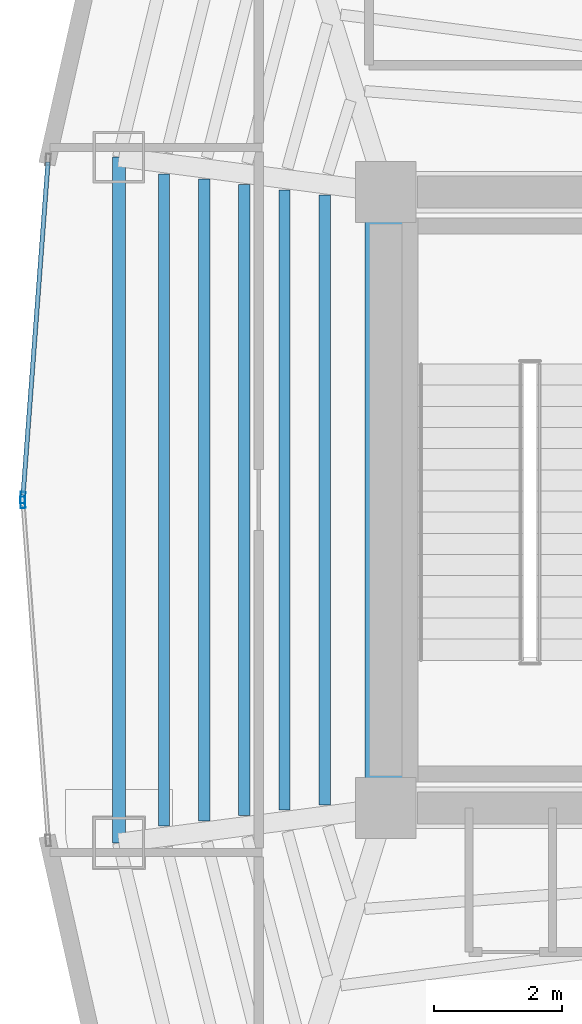
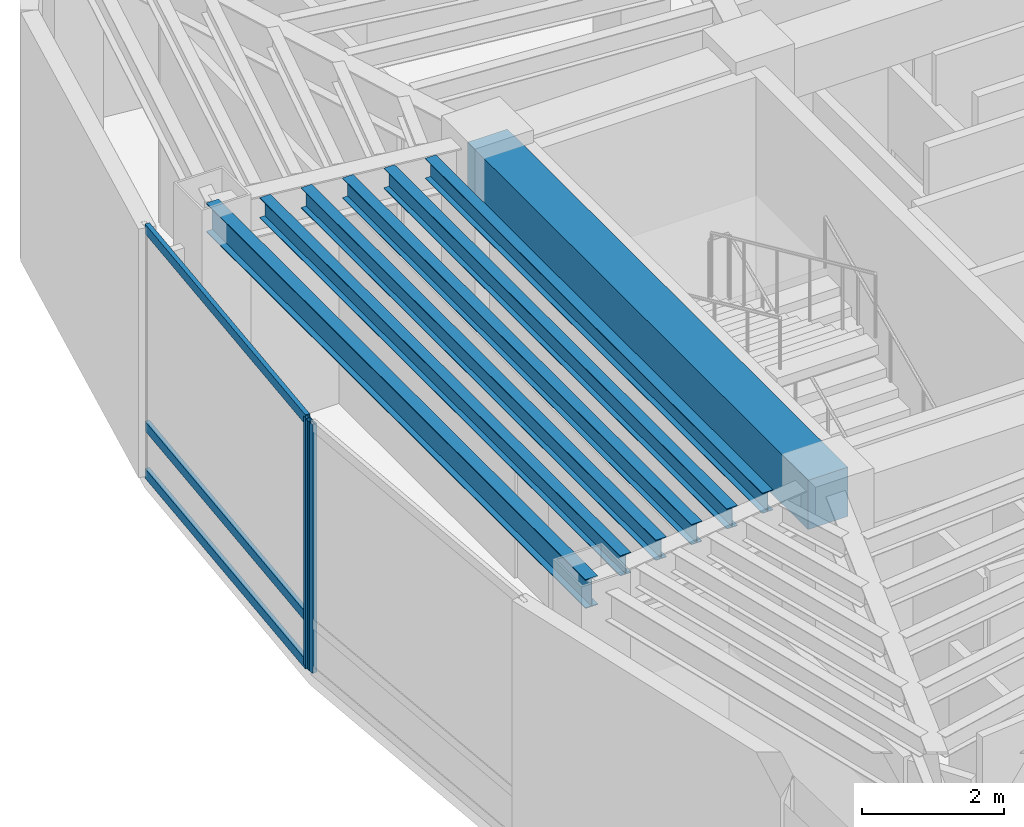
# One storey, part 3 of 17: 7 beams, 5 members, 2 elements without a shape of their own.
"""IFC4 building model written with IfcOpenShell, lengths in metres."""

from ifc_helpers import new_model, si_unit, direction, frame, origin, origin_2d, place, context, subcontext, project, spatial, rectangle, hollow_rectangle, i_section, extrude, material, layer, layer_set, material_profile, profile_set, type_object, element, aggregate, save


model = new_model("IFC4")

# Units and contexts
model_context = context("Model", 3, precision=1e-05, world=origin(), true_north=direction((0.0, 1.0)))
body_context = subcontext(model_context, "Body", "Model", "MODEL_VIEW")
ifc_project = project(units=[si_unit("LENGTHUNIT", "METRE"), si_unit("AREAUNIT", "SQUARE_METRE"), si_unit("VOLUMEUNIT", "CUBIC_METRE"), si_unit("PLANEANGLEUNIT", "RADIAN"), si_unit("MASSUNIT", "GRAM", prefix="KILO")], contexts=[model_context])

# Site, building, storey
site_placement = place(None, origin())
site = spatial("IfcSite", under=ifc_project, at=site_placement, CompositionType="ELEMENT")
building_placement = place(site_placement, origin())
building = spatial("IfcBuilding", under=site, at=building_placement, Name="Menara Vayukalpa", CompositionType="ELEMENT")
storey_placement = place(building_placement, frame((0.0, 0.0, 242.639892578125)))
storey = spatial("IfcBuildingStorey", under=building, at=storey_placement, Name="L61", CompositionType="ELEMENT", Elevation=242.639892578125)

# Beams
ifc_material_1 = material(Name="Concrete C60/75", Category="concrete")
ifc_material_profile_1 = material_profile(ifc_material_1, rectangle(XDim=0.64990234375, YDim=0.85009765625, at=origin_2d()), Name="RC 650x850")
ifc_profile_set_1 = profile_set([ifc_material_profile_1], Name="Concrete C60/75")
beam_type_1 = type_object("IfcBeamType", Name="BM-CB1", PredefinedType="BEAM", material=ifc_profile_set_1)
beam_1_placement = place(storey_placement, frame((17.800048828125, 17.199951171875, 3.855224609375), z_axis=(0.0, 1.0, 0.0), x_axis=(-1.0, 0.0, 0.0)))
element("IfcBeam", 1, at=beam_1_placement, inside=storey, type_object=beam_type_1, Name="L61 Core Tie Beam CBR7", PredefinedType="BEAM", context=body_context, shape_type="SweptSolid", body=[
    extrude(rectangle(XDim=0.64990234375, YDim=0.85009765625, at=origin_2d()), origin(), (0.0, 0.0, 1.0), 9.60009765625),
])
ifc_material_2 = material(Name="Steel S355", Category="steel")
ifc_material_profile_2 = material_profile(ifc_material_2, i_section(OverallWidth=0.175048828125, OverallDepth=0.35009765625, WebThickness=0.007080078125, FlangeThickness=0.010986328125, at=origin_2d()), Name="WF 350x175x7x11")
ifc_profile_set_2 = profile_set([ifc_material_profile_2], Name="Steel S355")
beam_type_2 = type_object("IfcBeamType", Name="BM-SJ3", PredefinedType="JOIST", material=ifc_profile_set_2)
beam_2_placement = place(storey_placement, frame((16.84765625, 26.755126953125, 4.105224609375), z_axis=(0.0, -1.0, 0.0), x_axis=(1.0, 0.0, 0.0)))
element("IfcBeam", 2, at=beam_2_placement, inside=storey, type_object=beam_type_2, Name="L61 Secondary Floor Joist SJ05-1", PredefinedType="JOIST", context=body_context, shape_type="SweptSolid", body=[
    extrude(i_section(OverallWidth=0.175048828125, OverallDepth=0.35009765625, WebThickness=0.007080078125, FlangeThickness=0.010986328125, at=origin_2d()), origin(), (0.0, 0.0, 1.0), 9.51025390625),
])
beam_3_placement = place(storey_placement, frame((16.2216796875, 26.83740234375, 4.105224609375), z_axis=(0.0, -1.0, 0.0), x_axis=(1.0, 0.0, 0.0)))
element("IfcBeam", 3, at=beam_3_placement, inside=storey, type_object=beam_type_2, Name="L61 Secondary Floor Joist SJ05-2", PredefinedType="JOIST", context=body_context, shape_type="SweptSolid", body=[
    extrude(i_section(OverallWidth=0.175048828125, OverallDepth=0.35009765625, WebThickness=0.007080078125, FlangeThickness=0.010986328125, at=origin_2d()), origin(), (0.0, 0.0, 1.0), 9.6748046875),
])
beam_4_placement = place(storey_placement, frame((15.595458984375, 26.919677734375, 4.105224609375), z_axis=(0.0, -1.0, 0.0), x_axis=(1.0, 0.0, 0.0)))
element("IfcBeam", 4, at=beam_4_placement, inside=storey, type_object=beam_type_2, Name="L61 Secondary Floor Joist SJ05-3", PredefinedType="JOIST", context=body_context, shape_type="SweptSolid", body=[
    extrude(i_section(OverallWidth=0.175048828125, OverallDepth=0.35009765625, WebThickness=0.007080078125, FlangeThickness=0.010986328125, at=origin_2d()), origin(), (0.0, 0.0, 1.0), 9.83935546875),
])
beam_5_placement = place(storey_placement, frame((14.969482421875, 27.001953125, 4.105224609375), z_axis=(0.0, -1.0, 0.0), x_axis=(1.0, 0.0, 0.0)))
element("IfcBeam", 5, at=beam_5_placement, inside=storey, type_object=beam_type_2, Name="L61 Secondary Floor Joist SJ05-4", PredefinedType="JOIST", context=body_context, shape_type="SweptSolid", body=[
    extrude(i_section(OverallWidth=0.175048828125, OverallDepth=0.35009765625, WebThickness=0.007080078125, FlangeThickness=0.010986328125, at=origin_2d()), origin(), (0.0, 0.0, 1.0), 10.00390625),
])
beam_6_placement = place(storey_placement, frame((14.343505859375, 27.084228515625, 4.105224609375), z_axis=(0.0, -1.0, 0.0), x_axis=(1.0, 0.0, 0.0)))
element("IfcBeam", 6, at=beam_6_placement, inside=storey, type_object=beam_type_2, Name="L61 Secondary Floor Joist SJ05-5", PredefinedType="JOIST", context=body_context, shape_type="SweptSolid", body=[
    extrude(i_section(OverallWidth=0.175048828125, OverallDepth=0.35009765625, WebThickness=0.007080078125, FlangeThickness=0.010986328125, at=origin_2d()), origin(), (0.0, 0.0, 1.0), 10.16845703125),
])
ifc_material_3 = material(Name="Steel S355", Category="steel")
ifc_material_profile_3 = material_profile(ifc_material_3, i_section(OverallWidth=0.199951171875, OverallDepth=0.5, WebThickness=0.010009765625, FlangeThickness=0.01611328125, at=origin_2d()), Name="WF 500x200x10x16")
ifc_profile_set_3 = profile_set([ifc_material_profile_3], Name="Steel S355")
beam_type_3 = type_object("IfcBeamType", Name="BM-SP3", PredefinedType="SPANDREL", material=ifc_profile_set_3)
beam_7_placement = place(storey_placement, frame((13.638916015625, 27.3466796875, 4.030029296875), z_axis=(0.0, -1.0, 0.0), x_axis=(1.0, 0.0, 0.0)))
element("IfcBeam", 7, at=beam_7_placement, inside=storey, type_object=beam_type_3, Name="L61 Perimeter Spandrel Beam SP05", PredefinedType="SPANDREL", context=body_context, shape_type="SweptSolid", body=[
    extrude(i_section(OverallWidth=0.199951171875, OverallDepth=0.5, WebThickness=0.010009765625, FlangeThickness=0.01611328125, at=origin_2d()), origin(), (0.0, 0.0, 1.0), 10.693359375),
])

# Curtain wall, member
ifc_material_4 = material(Name="Anodised Terracotta Aluminium Alloy 6063-T6", Category="masonry")
ifc_layer = layer(ifc_material_4, 0.179931640625)
ifc_layer_set = layer_set([ifc_layer], Name="Anodised Terracotta Aluminium Alloy 6063-T6")
curtain_wall_type = type_object("IfcCurtainWallType", Name="CW-CW4", PredefinedType="USERDEFINED", material=ifc_layer_set)
curtain_wall_1_placement = place(storey_placement, origin())
curtain_wall_1 = element("IfcCurtainWall", 8, at=curtain_wall_1_placement, inside=storey, type_object=curtain_wall_type, Name="L61 Sky Bar Cantilever Glazed Curtain Wall CW4 10", ObjectType="UNITISED", PredefinedType="USERDEFINED")
ifc_material_5 = material(Name="Anodised Terracotta Aluminium Alloy 6063-T6", Category="masonry")
ifc_material_profile_4 = material_profile(ifc_material_5, hollow_rectangle(XDim=0.074951171875, YDim=0.179931640625, WallThickness=0.00390625, at=origin_2d()), Name="ALU 75x180x4")
ifc_profile_set_4 = profile_set([ifc_material_profile_4], Name="Anodised Terracotta Aluminium Alloy 6063-T6")
member_type_1 = type_object("IfcMemberType", Name="CWM-CW4", PredefinedType="MULLION", material=ifc_profile_set_4)
member_1_placement = place(storey_placement, frame((12.140869140625, 22.037353515625, 0.0), z_axis=(0.0, 0.0, 1.0), x_axis=(0.997199344663, -0.074789484574, 0.0)))
member_1 = element("IfcMember", 9, at=member_1_placement, type_object=member_type_1, Name="CW4 mullion 2", PredefinedType="MULLION", context=body_context, shape_type="SweptSolid", body=[
    extrude(hollow_rectangle(XDim=0.074951171875, YDim=0.179931640625, WallThickness=0.00390625, at=origin_2d()), origin(), (0.0, 0.0, 1.0), 4.280029296875),
])

curtain_wall_2_placement = place(storey_placement, origin())
curtain_wall_2 = element("IfcCurtainWall", 10, at=curtain_wall_2_placement, inside=storey, type_object=curtain_wall_type, Name="L61 Sky Bar Cantilever Glazed Curtain Wall CW4 11", ObjectType="UNITISED", PredefinedType="USERDEFINED")
member_2_placement = place(storey_placement, frame((12.140869140625, 21.962646484375, 0.0), z_axis=(0.0, 0.0, 1.0), x_axis=(0.997199344663, 0.074789484574, 0.0)))
member_2 = element("IfcMember", 11, at=member_2_placement, type_object=member_type_1, Name="CW4 mullion 1", PredefinedType="MULLION", context=body_context, shape_type="SweptSolid", body=[
    extrude(hollow_rectangle(XDim=0.074951171875, YDim=0.179931640625, WallThickness=0.00390625, at=origin_2d()), origin(), (0.0, 0.0, 1.0), 4.280029296875),
])
aggregate(curtain_wall_2, [member_2])

# Member
ifc_material_6 = material(Name="Anodised Terracotta Aluminium Alloy 6063-T6", Category="masonry")
ifc_material_profile_5 = material_profile(ifc_material_6, hollow_rectangle(XDim=0.070068359375, YDim=0.1650390625, WallThickness=0.00390625, at=origin_2d()), Name="ALU 70x165x4")
ifc_profile_set_5 = profile_set([ifc_material_profile_5], Name="Anodised Terracotta Aluminium Alloy 6063-T6")
member_type_2 = type_object("IfcMemberType", Name="CWT-CW4", PredefinedType="USERDEFINED", material=ifc_profile_set_5)
member_3_placement = place(storey_placement, frame((12.533447265625, 27.27197265625, 0.03515625), z_axis=(-0.074808580699, -0.997197912279, 0.0), x_axis=(0.997197912279, -0.074808580699, 0.0)))
member_3 = element("IfcMember", 12, at=member_3_placement, type_object=member_type_2, Name="CW4 transom 1.1", ObjectType="TRANSOM", PredefinedType="USERDEFINED", context=body_context, shape_type="SweptSolid", body=[
    extrude(hollow_rectangle(XDim=0.070068359375, YDim=0.1650390625, WallThickness=0.00390625, at=origin_2d()), origin(), (0.0, 0.0, 1.0), 5.2119140625),
])

member_4_placement = place(storey_placement, frame((12.533447265625, 27.27197265625, 0.85009765625), z_axis=(-0.074808580699, -0.997197912279, 0.0), x_axis=(0.997197912279, -0.074808580699, 0.0)))
member_4 = element("IfcMember", 13, at=member_4_placement, type_object=member_type_2, Name="CW4 transom 1.2", ObjectType="TRANSOM", PredefinedType="USERDEFINED", context=body_context, shape_type="SweptSolid", body=[
    extrude(hollow_rectangle(XDim=0.070068359375, YDim=0.1650390625, WallThickness=0.00390625, at=origin_2d()), origin(), (0.0, 0.0, 1.0), 5.2119140625),
])

member_5_placement = place(storey_placement, frame((12.533447265625, 27.27197265625, 4.2451171875), z_axis=(-0.074808580699, -0.997197912279, 0.0), x_axis=(0.997197912279, -0.074808580699, 0.0)))
member_5 = element("IfcMember", 14, at=member_5_placement, type_object=member_type_2, Name="CW4 transom 1.3", ObjectType="TRANSOM", PredefinedType="USERDEFINED", context=body_context, shape_type="SweptSolid", body=[
    extrude(hollow_rectangle(XDim=0.070068359375, YDim=0.1650390625, WallThickness=0.00390625, at=origin_2d()), origin(), (0.0, 0.0, 1.0), 5.2119140625),
])

aggregate(curtain_wall_1, [member_1, member_3, member_4, member_5])

save(model, "model.ifc")
